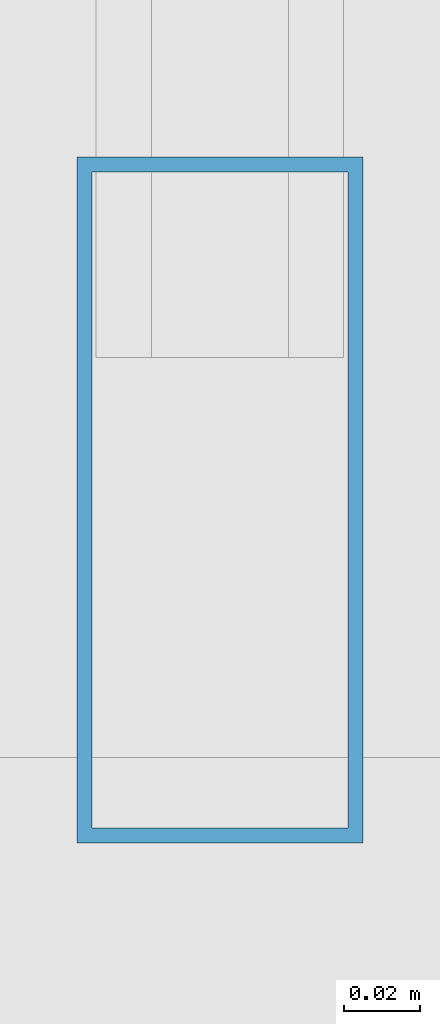
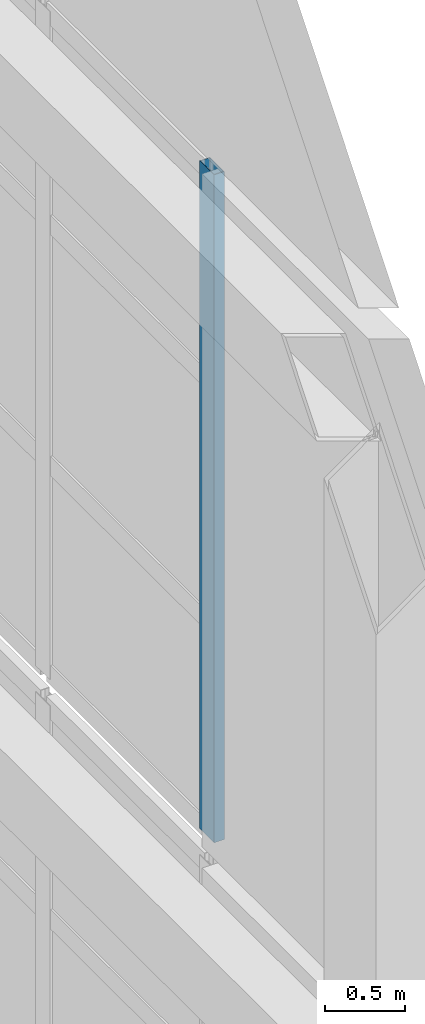
# One storey, part 24 of 47: 1 member, 1 element without a shape of its own.
"""IFC4 building model written with IfcOpenShell, lengths in metres."""

from ifc_helpers import new_model, si_unit, direction, frame, origin, origin_2d, place, context, subcontext, project, spatial, hollow_rectangle, extrude, material, layer, layer_set, material_profile, profile_set, type_object, element, aggregate, save


model = new_model("IFC4")

# Units and contexts
model_context = context("Model", 3, precision=1e-05, world=origin(), true_north=direction((0.0, 1.0)))
body_context = subcontext(model_context, "Body", "Model", "MODEL_VIEW")
ifc_project = project(units=[si_unit("LENGTHUNIT", "METRE"), si_unit("AREAUNIT", "SQUARE_METRE"), si_unit("VOLUMEUNIT", "CUBIC_METRE"), si_unit("PLANEANGLEUNIT", "RADIAN"), si_unit("MASSUNIT", "GRAM", prefix="KILO")], contexts=[model_context])

# Site, building, storey
site_placement = place(None, origin())
site = spatial("IfcSite", under=ifc_project, at=site_placement, CompositionType="ELEMENT")
building_placement = place(site_placement, origin())
building = spatial("IfcBuilding", under=site, at=building_placement, Name="Qiaolan Cultural Towers", CompositionType="ELEMENT")
storey_placement = place(building_placement, frame((0.0, 0.0, 280.199951171875)))
storey = spatial("IfcBuildingStorey", under=building, at=storey_placement, Name="RF", CompositionType="ELEMENT", Elevation=280.199951171875)

# Curtain wall, member
ifc_material_1 = material(Name="Unitized Anodized Aluminium Curtain Wall System", Category="aluminium")
ifc_layer = layer(ifc_material_1, 0.199951171875)
ifc_layer_set = layer_set([ifc_layer], Name="Unitized Anodized Aluminium Curtain Wall System")
curtain_wall_type = type_object("IfcCurtainWallType", Name="CWS-06", PredefinedType="NOTDEFINED", material=ifc_layer_set)
curtain_wall_placement = place(storey_placement, origin())
curtain_wall = element("IfcCurtainWall", 1, at=curtain_wall_placement, inside=storey, type_object=curtain_wall_type, Name="T1 Crown Tier 5 Fritted Screen Curtain Wall 3", PredefinedType="NOTDEFINED")
ifc_material_2 = material(Name="Extruded Aluminium 6063-T6", Category="aluminium")
ifc_material_profile = material_profile(ifc_material_2, hollow_rectangle(XDim=0.074951171875, YDim=0.179931640625, WallThickness=0.00390625, at=origin_2d()), Name="CWM-180x75x4")
ifc_profile_set = profile_set([ifc_material_profile], Name="Extruded Aluminium 6063-T6")
member_type = type_object("IfcMemberType", Name="CWS-06-MUL", PredefinedType="MULLION", material=ifc_profile_set)
member_placement = place(storey_placement, frame((45.050048828125, 27.767578125, 21.300048828125), z_axis=(0.0, 0.0, 1.0), x_axis=(-1.0, 0.0, 0.0)))
member = element("IfcMember", 2, at=member_placement, type_object=member_type, Name="CW-6 mullion 1", PredefinedType="MULLION", context=body_context, shape_type="SweptSolid", body=[
    extrude(hollow_rectangle(XDim=0.074951171875, YDim=0.179931640625, WallThickness=0.00390625, at=origin_2d()), origin(), (0.0, 0.0, 1.0), 5.10009765625),
])
aggregate(curtain_wall, [member])

save(model, "model.ifc")
